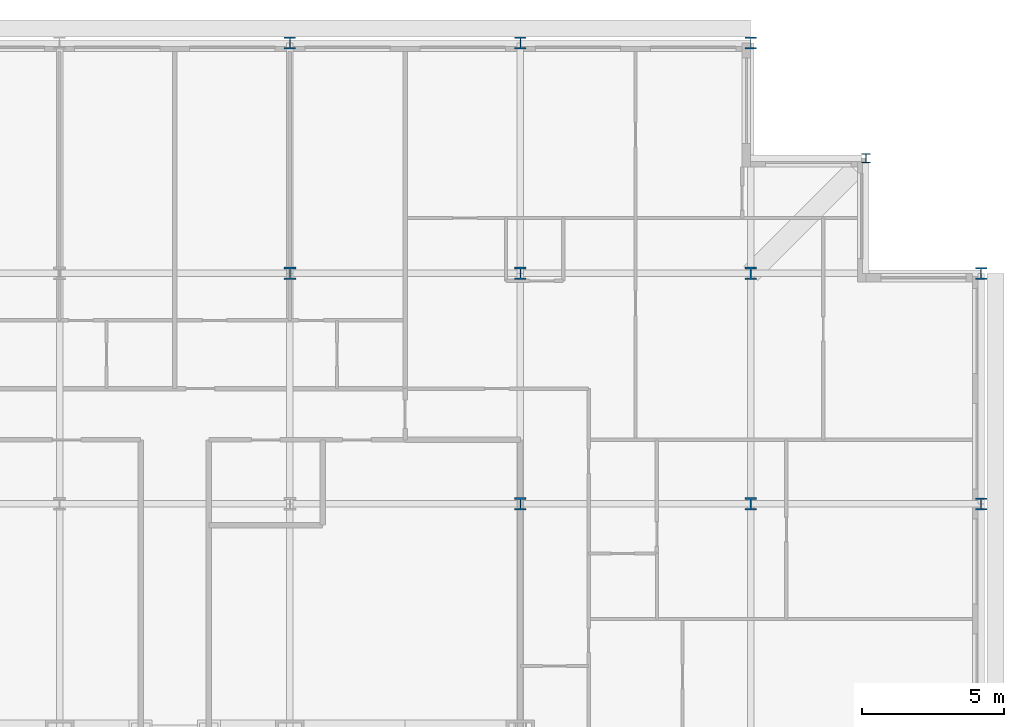
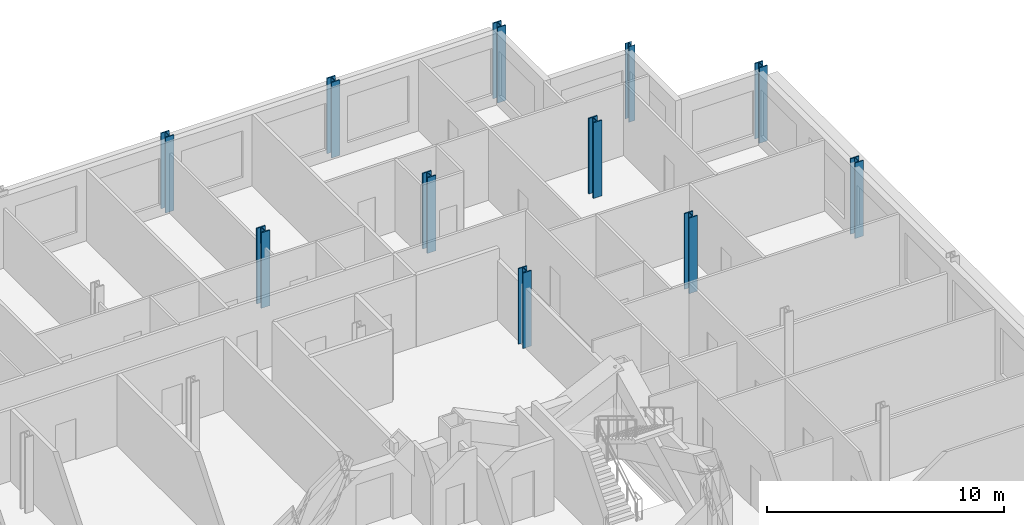
# One storey, part 4 of 15: 11 columns.
"""IFC4 building model written with IfcOpenShell, lengths in metres."""

import ifcopenshell
import ifcopenshell.guid

model = None  # the IFC model being written
_history = None  # IfcOwnerHistory: only IFC2X3 demands one
_inside = {}  # id of a spatial element -> (the spatial element, [elements in it])
_under = {}  # id of a project, library or spatial element -> (it, [spatial elements below it])
_declared = {}  # id of a project -> (the project, [libraries it declares])
_typed = {}  # id of a type object -> (the type object, [elements of that type])
_made_of = {}  # id of a material, layer set ... -> (it, [elements and type objects made of it])


def new_model(schema):
    """Start an empty IFC model of exactly this schema.

    Asked for "IFC4X3", IfcOpenShell would pick the latest addendum, in which some entities
    have other attributes; the version numbers below select the first issue.
    IFC2X3 requires an IfcOwnerHistory on every rooted entity: one is made here for all.
    """
    global model, _history
    if schema == "IFC4X3":
        model = ifcopenshell.file(schema_version=(4, 3, 0, 0))
    else:
        model = ifcopenshell.file(schema=schema)
    _inside.clear()
    _under.clear()
    _declared.clear()
    _typed.clear()
    _made_of.clear()
    _history = None
    if model.schema == "IFC2X3":
        org = make("IfcOrganization", Name="unknown")
        user = make(
            "IfcPersonAndOrganization",
            ThePerson=make("IfcPerson", FamilyName="unknown"),
            TheOrganization=org,
        )
        app = make(
            "IfcApplication",
            ApplicationDeveloper=org,
            Version="unknown",
            ApplicationFullName="unknown",
            ApplicationIdentifier="unknown",
        )
        _history = make(
            "IfcOwnerHistory",
            OwningUser=user,
            OwningApplication=app,
            ChangeAction="ADDED",
            CreationDate=0,
        )
    return model


def make(cls, **values):
    """One entity of the class cls with the attributes given. An attribute that is None is left unset."""
    return model.create_entity(
        cls, **{name: value for name, value in values.items() if value is not None}
    )


def rooted(cls, **values):
    """An entity with a GlobalId (a new one), such as an element, a storey or a relation."""
    return make(cls, GlobalId=ifcopenshell.guid.new(), OwnerHistory=_history, **values)


def si_unit(unit_type, name, prefix=None):
    """IfcSIUnit, for example si_unit("LENGTHUNIT", "METRE", prefix="MILLI")."""
    return make("IfcSIUnit", UnitType=unit_type, Prefix=prefix, Name=name)


def assignment(units):
    """IfcUnitAssignment: the units of a project."""
    return None if units is None else make("IfcUnitAssignment", Units=units)


def point(xyz):
    """IfcCartesianPoint."""
    return None if xyz is None else make("IfcCartesianPoint", Coordinates=xyz)


def direction(xyz):
    """IfcDirection."""
    return None if xyz is None else make("IfcDirection", DirectionRatios=xyz)


def frame(location, z_axis=None, x_axis=None):
    """IfcAxis2Placement3D, a coordinate frame: its origin and axes. An axis left out is left unset."""
    return make(
        "IfcAxis2Placement3D",
        Location=point(location),
        Axis=direction(z_axis),
        RefDirection=direction(x_axis),
    )


def frame_2d(location, x_axis=None):
    """IfcAxis2Placement2D, a coordinate frame in the plane: its origin and x axis."""
    return make(
        "IfcAxis2Placement2D", Location=point(location), RefDirection=direction(x_axis)
    )


def origin():
    """The frame at (0, 0, 0) with its axes left unset."""
    return frame((0.0, 0.0, 0.0))


def origin_2d():
    """The frame at (0, 0) in the plane with its x axis left unset."""
    return frame_2d((0.0, 0.0))


def place(relative_to, where):
    """IfcLocalPlacement: puts the frame where relative to a parent placement (None: the world)."""
    return make(
        "IfcLocalPlacement", PlacementRelTo=relative_to, RelativePlacement=where
    )


def context(
    kind, dimensions, precision=None, world=None, true_north=None, identifier=None
):
    """IfcGeometricRepresentationContext, for example the 3D "Model" context."""
    return make(
        "IfcGeometricRepresentationContext",
        ContextIdentifier=identifier,
        ContextType=kind,
        CoordinateSpaceDimension=dimensions,
        Precision=precision,
        WorldCoordinateSystem=world,
        TrueNorth=true_north,
    )


def subcontext(parent, identifier, kind, view, scale=None):
    """IfcGeometricRepresentationSubContext, for example "Body" below "Model"."""
    return make(
        "IfcGeometricRepresentationSubContext",
        ContextIdentifier=identifier,
        ContextType=kind,
        ParentContext=parent,
        TargetScale=scale,
        TargetView=view,
    )


def project(units=None, contexts=None):
    """IfcProject with its units and contexts."""
    return rooted(
        "IfcProject",
        Name="project",
        RepresentationContexts=contexts,
        UnitsInContext=assignment(units),
    )


def spatial(cls, under=None, at=None, **own):
    """A site, building, storey or space (cls), placed at a placement, below another one or the project."""
    s = rooted(cls, ObjectPlacement=at, **own)
    if under is not None:
        _under.setdefault(under.id(), (under, []))[1].append(s)
    return s


def profile(cls, at=None, kind="AREA", **sizes):
    """A parametric profile (cls). Its sizes go by their IFC names, for example OverallWidth=200.0."""
    return make(cls, ProfileType=kind, Position=at, **sizes)


def i_section(**sizes):
    """IfcIShapeProfileDef."""
    return profile("IfcIShapeProfileDef", **sizes)


def extrude(swept, where, along, depth):
    """IfcExtrudedAreaSolid: the profile swept, set in the frame where, extruded along a direction by depth."""
    return make(
        "IfcExtrudedAreaSolid",
        SweptArea=swept,
        Position=where,
        ExtrudedDirection=direction(along),
        Depth=depth,
    )


def shape(context_of_items, identifier, shape_type, items):
    """IfcShapeRepresentation: the items that make up one representation, for example the "Body"."""
    return make(
        "IfcShapeRepresentation",
        ContextOfItems=context_of_items,
        RepresentationIdentifier=identifier,
        RepresentationType=shape_type,
        Items=items,
    )


def material(Name=None, Category=None):
    """IfcMaterial."""
    return make("IfcMaterial", Name=Name, Category=Category)


def material_profile(
    of_material, cross_section, Name=None, Category=None, Priority=None
):
    """IfcMaterialProfile: a cross section and its material."""
    return make(
        "IfcMaterialProfile",
        Name=Name,
        Material=of_material,
        Profile=cross_section,
        Priority=Priority,
        Category=Category,
    )


def profile_set(profiles, Name=None, composite=None):
    """IfcMaterialProfileSet."""
    return make(
        "IfcMaterialProfileSet",
        Name=Name,
        MaterialProfiles=profiles,
        CompositeProfile=composite,
    )


def made_of(thing, what):
    """Note that an element or type object is made of a material, layer set ...; save() writes the relation."""
    if what is not None:
        _made_of.setdefault(what.id(), (what, []))[1].append(thing)
    return thing


def type_object(cls, material=None, **own):
    """A type object (cls), such as IfcWallType, which elements share."""
    return made_of(rooted(cls, **own), material)


def element(
    cls,
    number,
    at=None,
    inside=None,
    cuts=None,
    type_object=None,
    material=None,
    context=None,
    identifier="Body",
    shape_type=None,
    held_by="IfcProductDefinitionShape",
    body=None,
    shapes=None,
    **own,
):
    """One element of the class cls, such as IfcWall. Its Tag is "e" and its number.

    at: its placement. inside: the storey or other place that contains it. cuts: it is an
    opening in that element (IfcRelVoidsElement). A single representation is given by context,
    identifier, shape_type and body (its items); several are given by shapes. held_by: the class
    of the entity that holds the representations. save() writes the other relations.
    """
    e = rooted(cls, Tag="e%d" % number, ObjectPlacement=at, **own)
    if body is not None:
        shapes = [shape(context, identifier, shape_type, body)]
    if shapes is not None:
        e.Representation = make(held_by, Representations=shapes)
    if inside is not None:
        _inside.setdefault(inside.id(), (inside, []))[1].append(e)
    if cuts is not None:
        rooted(
            "IfcRelVoidsElement", RelatingBuildingElement=cuts, RelatedOpeningElement=e
        )
    if type_object is not None:
        _typed.setdefault(type_object.id(), (type_object, []))[1].append(e)
    return made_of(e, material)


def aggregate(whole, parts):
    """IfcRelAggregates: a whole, such as a stair, and the parts it consists of."""
    return rooted("IfcRelAggregates", RelatingObject=whole, RelatedObjects=parts)


def save(model, path):
    """Write the relations noted so far, then the file.

    IfcRelAggregates (storeys below a building ...), IfcRelContainedInSpatialStructure (elements
    in a storey), IfcRelDefinesByType, IfcRelAssociatesMaterial and IfcRelDeclares: one each for
    every whole, place, type object, material and project.
    """
    for whole, parts in _under.values():
        aggregate(whole, parts)
    for where, things in _inside.values():
        rooted(
            "IfcRelContainedInSpatialStructure",
            RelatedElements=things,
            RelatingStructure=where,
        )
    for kind, things in _typed.values():
        rooted("IfcRelDefinesByType", RelatedObjects=things, RelatingType=kind)
    for what, things in _made_of.values():
        rooted("IfcRelAssociatesMaterial", RelatedObjects=things, RelatingMaterial=what)
    for by, libraries in _declared.values():
        rooted("IfcRelDeclares", RelatingContext=by, RelatedDefinitions=libraries)
    model.write(path)


model = new_model("IFC4")

# Units and contexts
model_context = context("Model", 3, precision=1e-05, world=origin(), true_north=direction((0.0, 1.0)))
body_context = subcontext(model_context, "Body", "Model", "MODEL_VIEW")
ifc_project = project(units=[si_unit("LENGTHUNIT", "METRE"), si_unit("AREAUNIT", "SQUARE_METRE"), si_unit("VOLUMEUNIT", "CUBIC_METRE"), si_unit("PLANEANGLEUNIT", "RADIAN"), si_unit("MASSUNIT", "GRAM", prefix="KILO")], contexts=[model_context])

# Site, building, storey
site_placement = place(None, origin())
site = spatial("IfcSite", under=ifc_project, at=site_placement, CompositionType="ELEMENT")
building_placement = place(site_placement, origin())
building = spatial("IfcBuilding", under=site, at=building_placement, Name="Kopane Lantern Tower", CompositionType="ELEMENT")
storey_placement = place(building_placement, frame((0.0, 0.0, 277.5)))
storey = spatial("IfcBuildingStorey", under=building, at=storey_placement, Name="L71", CompositionType="ELEMENT", Elevation=277.5)

# Columns
ifc_material_1 = material(Name="Steel S355JR", Category="steel")
ifc_material_profile_1 = material_profile(ifc_material_1, i_section(OverallWidth=0.307373046875, OverallDepth=0.314453125, WebThickness=0.011962890625, FlangeThickness=0.018798828125, FilletRadius=0.01513671875, at=origin_2d()), Name="UC 305x305x118")
ifc_profile_set_1 = profile_set([ifc_material_profile_1], Name="Steel S355JR")
column_type_1 = type_object("IfcColumnType", Name="COLUMN UC 305x305x118", PredefinedType="COLUMN", material=ifc_profile_set_1)
column_placement = place(storey_placement, frame((52.64990234375, 60.75, 0.0), z_axis=(0.0, 0.0, 1.0), x_axis=(1.0, 0.0, 0.0)))
element("IfcColumn", 1, at=column_placement, inside=storey, type_object=column_type_1, Name="Column 52.65/60.75 L71", PredefinedType="COLUMN", context=body_context, shape_type="SweptSolid", body=[
    extrude(i_section(OverallWidth=0.307373046875, OverallDepth=0.314453125, WebThickness=0.011962890625, FlangeThickness=0.018798828125, FilletRadius=0.01513671875, at=origin_2d()), origin(), (0.0, 0.0, 1.0), 3.89990234375),
])
ifc_material_2 = material(Name="Steel S355JR", Category="steel")
ifc_material_profile_2 = material_profile(ifc_material_2, i_section(OverallWidth=0.406982421875, OverallDepth=0.4189453125, WebThickness=0.030517578125, FlangeThickness=0.04931640625, FilletRadius=0.01513671875, at=origin_2d()), Name="UC 356x406x393")
ifc_profile_set_2 = profile_set([ifc_material_profile_2], Name="Steel S355JR")
column_type_2 = type_object("IfcColumnType", Name="COLUMN UC 356x406x393", PredefinedType="COLUMN", material=ifc_profile_set_2)
for number, where, z_axis, x_axis, name in (
    (2, (32.39990234375, 64.800048828125, 0.0), (0.0, 0.0, 1.0), (1.0, 0.0, 0.0), "Column 6/K L71"),
    (3, (40.5, 64.800048828125, 0.0), (0.0, 0.0, 1.0), (1.0, 0.0, 0.0), "Column 7/K L71"),
    (4, (48.60009765625, 64.800048828125, 0.0), (0.0, 0.0, 1.0), (1.0, 0.0, 0.0), "Column 8/K L71"),
    (5, (56.699951171875, 48.60009765625, 0.0), (0.0, 0.0, 1.0), (1.0, 0.0, 0.0), "Column 9/H L71"),
    (6, (56.699951171875, 56.699951171875, 0.0), (0.0, 0.0, 1.0), (1.0, 0.0, 0.0), "Column 9/J L71"),
):
    element("IfcColumn", number, at=place(storey_placement, frame(where, z_axis=z_axis, x_axis=x_axis)), inside=storey, type_object=column_type_2, Name=name, PredefinedType="COLUMN", context=body_context, shape_type="SweptSolid", body=[
        extrude(i_section(OverallWidth=0.406982421875, OverallDepth=0.4189453125, WebThickness=0.030517578125, FlangeThickness=0.04931640625, FilletRadius=0.01513671875, at=origin_2d()), origin(), (0.0, 0.0, 1.0), 3.89990234375),
    ])
ifc_material_3 = material(Name="Steel S355JR", Category="steel")
ifc_material_profile_3 = material_profile(ifc_material_3, i_section(OverallWidth=0.412109375, OverallDepth=0.4365234375, WebThickness=0.035888671875, FlangeThickness=0.05810546875, FilletRadius=0.01513671875, at=origin_2d()), Name="UC 356x406x467")
ifc_profile_set_3 = profile_set([ifc_material_profile_3], Name="Steel S355JR")
column_type_3 = type_object("IfcColumnType", Name="COLUMN UC 356x406x467", PredefinedType="COLUMN", material=ifc_profile_set_3)
for number, where, z_axis, x_axis, name in (
    (7, (32.39990234375, 56.699951171875, 0.0), (0.0, 0.0, 1.0), (1.0, 0.0, 0.0), "Column 6/J L71"),
    (8, (40.5, 48.60009765625, 0.0), (0.0, 0.0, 1.0), (1.0, 0.0, 0.0), "Column 7/H L71"),
    (9, (40.5, 56.699951171875, 0.0), (0.0, 0.0, 1.0), (1.0, 0.0, 0.0), "Column 7/J L71"),
    (10, (48.60009765625, 48.60009765625, 0.0), (0.0, 0.0, 1.0), (1.0, 0.0, 0.0), "Column 8/H L71"),
    (11, (48.60009765625, 56.699951171875, 0.0), (0.0, 0.0, 1.0), (1.0, 0.0, 0.0), "Column 8/J L71"),
):
    element("IfcColumn", number, at=place(storey_placement, frame(where, z_axis=z_axis, x_axis=x_axis)), inside=storey, type_object=column_type_3, Name=name, PredefinedType="COLUMN", context=body_context, shape_type="SweptSolid", body=[
        extrude(i_section(OverallWidth=0.412109375, OverallDepth=0.4365234375, WebThickness=0.035888671875, FlangeThickness=0.05810546875, FilletRadius=0.01513671875, at=origin_2d()), origin(), (0.0, 0.0, 1.0), 3.89990234375),
    ])

save(model, "model.ifc")
